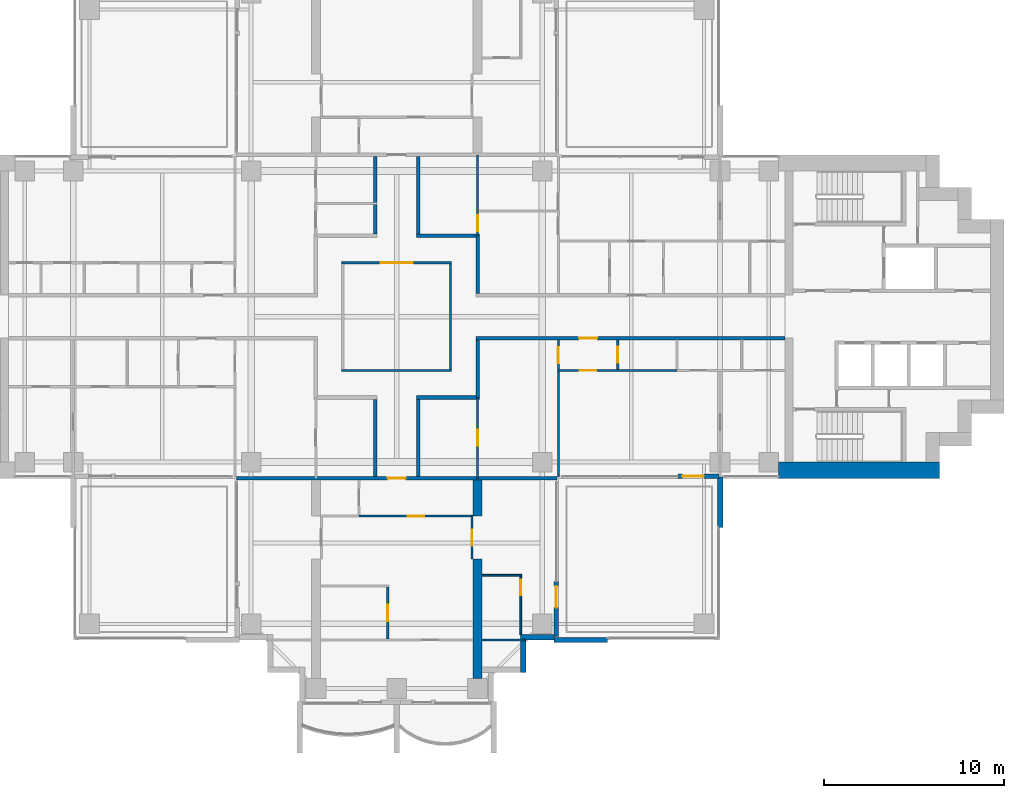
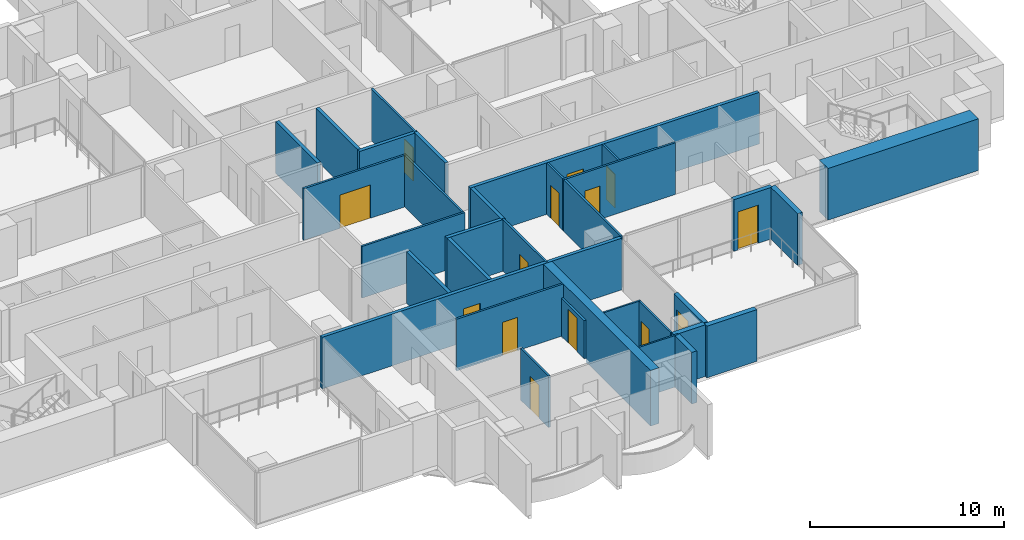
# One storey, part 11 of 18: 32 walls, 14 doors, 14 openings.
"""IFC4 building model written with IfcOpenShell, lengths in metres."""

from ifc_helpers import new_model, si_unit, direction, frame, frame_2d, origin, place, context, subcontext, project, spatial, polyline, rectangle, outline, extrude, material, layer, layer_set, material_profile, profile_set, type_object, element, fill, save


model = new_model("IFC4")

# Units and contexts
model_context = context("Model", 3, precision=1e-05, world=origin(), true_north=direction((0.0, 1.0)))
body_context = subcontext(model_context, "Body", "Model", "MODEL_VIEW")
ifc_project = project(units=[si_unit("LENGTHUNIT", "METRE"), si_unit("AREAUNIT", "SQUARE_METRE"), si_unit("VOLUMEUNIT", "CUBIC_METRE"), si_unit("PLANEANGLEUNIT", "RADIAN"), si_unit("MASSUNIT", "GRAM", prefix="KILO")], contexts=[model_context])

# Site, building, storey
site_placement = place(None, origin())
site = spatial("IfcSite", under=ifc_project, at=site_placement, CompositionType="ELEMENT")
building_placement = place(site_placement, origin())
building = spatial("IfcBuilding", under=site, at=building_placement, Name="Perihelion Cross Residences", CompositionType="ELEMENT")
storey_placement = place(building_placement, frame((0.0, 0.0, 123.39990234375)))
storey = spatial("IfcBuildingStorey", under=building, at=storey_placement, Name="L29", CompositionType="ELEMENT", Elevation=123.39990234375)

# Walls
ifc_material_1 = material(Name="Plasterboard partition")
ifc_layer_1 = layer(ifc_material_1, 0.199951171875)
ifc_layer_set_1 = layer_set([ifc_layer_1], Name="Apartment separation wall 200")
wall_type_1 = type_object("IfcWallType", Name="Apartment separation wall 200", PredefinedType="PARTITIONING", material=ifc_layer_set_1)
wall_1_placement = place(storey_placement, frame((4.5, 4.5, 0.0), z_axis=(0.0, 0.0, 1.0), x_axis=(0.0, -1.0, 0.0)))
element("IfcWall", 1, at=wall_1_placement, inside=storey, type_object=wall_type_1, Name="Partition L29 W006", PredefinedType="PARTITIONING", context=body_context, shape_type="SweptSolid", body=[
    extrude(rectangle(XDim=3.199951171875, YDim=0.199951171875, at=frame_2d((1.60009765625, 0.0))), origin(), (0.0, 0.0, 1.0), 3.25),
])
wall_2_placement = place(storey_placement, frame((1.199951171875, 8.89990234375, 0.0), z_axis=(0.0, 0.0, 1.0), x_axis=(0.0, -1.0, 0.0)))
element("IfcWall", 2, at=wall_2_placement, inside=storey, type_object=wall_type_1, Name="Partition L29 W007", PredefinedType="PARTITIONING", context=body_context, shape_type="SweptSolid", body=[
    extrude(rectangle(XDim=4.2998046875, YDim=0.199951171875, at=frame_2d((2.14990234375, 0.0))), origin(), (0.0, 0.0, 1.0), 3.25),
])
wall_3_placement = place(storey_placement, frame((1.10009765625, 4.5, 0.0), z_axis=(0.0, 0.0, 1.0), x_axis=(1.0, 0.0, 0.0)))
element("IfcWall", 3, at=wall_3_placement, inside=storey, type_object=wall_type_1, Name="Partition L29 W008", PredefinedType="PARTITIONING", context=body_context, shape_type="SweptSolid", body=[
    extrude(rectangle(XDim=3.5, YDim=0.199951171875, at=frame_2d((1.75, 0.0))), origin(), (0.0, 0.0, 1.0), 3.25),
])

# Wall, opening, door
wall_4_placement = place(storey_placement, frame((21.60009765625, -1.199951171875, 0.0), z_axis=(0.0, 0.0, 1.0), x_axis=(-1.0, 0.0, 0.0)))
wall_4 = element("IfcWall", 4, at=wall_4_placement, inside=storey, type_object=wall_type_1, Name="Partition L29 W009", PredefinedType="PARTITIONING", context=body_context, shape_type="SweptSolid", body=[
    extrude(rectangle(XDim=17.2001953125, YDim=0.199951171875, at=frame_2d((8.60009765625, 0.0))), origin(), (0.0, 0.0, 1.0), 3.25),
])
opening_1_placement = place(wall_4_placement, frame((10.449951171875, 0.0, 0.0)))
opening_1 = element("IfcOpeningElement", 5, at=opening_1_placement, cuts=wall_4, Name="Opening L29.A46", PredefinedType="OPENING", context=body_context, shape_type="SweptSolid", body=[
    extrude(rectangle(XDim=1.0, YDim=2.10009765625, at=frame_2d((0.5, 1.050048828125))), frame((0.0, 0.10986328125, 0.0), z_axis=(0.0, -1.0, 0.0), x_axis=(1.0, 0.0, 0.0)), (0.0, 0.0, 1.0), 0.219970703125),
])
ifc_material_2 = material(Name="Timber door leaf", Category="wood")
door_type_1 = type_object("IfcDoorType", Name="Flat entrance door 1000 x 2100", OperationType="SINGLE_SWING_LEFT", PredefinedType="DOOR", material=ifc_material_2)
door_1_placement = place(opening_1_placement, origin())
door_1 = element("IfcDoor", 6, at=door_1_placement, inside=storey, type_object=door_type_1, Name="Door L29.A46", OperationType="SINGLE_SWING_RIGHT", OverallHeight=2.10009765625, OverallWidth=1.0, PredefinedType="DOOR", context=body_context, shape_type="SweptSolid", body=[
    extrude(rectangle(XDim=1.0, YDim=2.10009765625, at=frame_2d((0.5, 1.050048828125))), frame((0.0, 0.02490234375, 0.0), z_axis=(0.0, -1.0, 0.0), x_axis=(1.0, 0.0, 0.0)), (0.0, 0.0, 1.0), 0.050048828125),
])
fill(opening_1, door_1)

# Walls
wall_5_placement = place(storey_placement, frame((4.5, -1.300048828125, 0.0), z_axis=(0.0, 0.0, 1.0), x_axis=(0.0, -1.0, 0.0)))
element("IfcWall", 7, at=wall_5_placement, inside=storey, type_object=wall_type_1, Name="Partition L29 W010", PredefinedType="PARTITIONING", context=body_context, shape_type="SweptSolid", body=[
    extrude(rectangle(XDim=3.199951171875, YDim=0.199951171875, at=frame_2d((1.60009765625, 0.0))), origin(), (0.0, 0.0, 1.0), 3.25),
])
wall_6_placement = place(storey_placement, frame((4.60009765625, -4.5, 0.0), z_axis=(0.0, 0.0, 1.0), x_axis=(-1.0, 0.0, 0.0)))
element("IfcWall", 8, at=wall_6_placement, inside=storey, type_object=wall_type_1, Name="Partition L29 W011", PredefinedType="PARTITIONING", context=body_context, shape_type="SweptSolid", body=[
    extrude(rectangle(XDim=3.5, YDim=0.199951171875, at=frame_2d((1.75, 0.0))), origin(), (0.0, 0.0, 1.0), 3.25),
])
for number, where, z_axis, x_axis, name in (
    (9, (1.199951171875, -4.60009765625, 0.0), (0.0, 0.0, 1.0), (0.0, -1.0, 0.0), "Partition L29 W012"),
    (10, (-1.199951171875, 4.60009765625, 0.0), (0.0, 0.0, 1.0), (0.0, 1.0, 0.0), "Partition L29 W016"),
    (11, (-1.199951171875, -8.89990234375, 0.0), (0.0, 0.0, 1.0), (0.0, 1.0, 0.0), "Partition L29 W019"),
):
    element("IfcWall", number, at=place(storey_placement, frame(where, z_axis=z_axis, x_axis=x_axis)), inside=storey, type_object=wall_type_1, Name=name, PredefinedType="PARTITIONING", context=body_context, shape_type="SweptSolid", body=[
        extrude(rectangle(XDim=4.2998046875, YDim=0.199951171875, at=frame_2d((2.14990234375, 0.0))), origin(), (0.0, 0.0, 1.0), 3.25),
    ])

# Wall, opening, door
wall_7_placement = place(storey_placement, frame((8.919921875, -9.0, 0.0), z_axis=(0.0, 0.0, 1.0), x_axis=(-1.0, 0.0, 0.0)))
wall_7 = element("IfcWall", 12, at=wall_7_placement, inside=storey, type_object=wall_type_1, Name="Partition L29 W022", PredefinedType="PARTITIONING", context=body_context, shape_type="SweptSolid", body=[
    extrude(rectangle(XDim=17.83984375, YDim=0.199951171875, at=frame_2d((8.919921875, 0.0))), origin(), (0.0, 0.0, 1.0), 3.25),
])
opening_2_placement = place(wall_7_placement, frame((8.419921875, 0.0, 0.0)))
opening_2 = element("IfcOpeningElement", 13, at=opening_2_placement, cuts=wall_7, Name="Opening L29.A39", PredefinedType="OPENING", context=body_context, shape_type="SweptSolid", body=[
    extrude(rectangle(XDim=1.0, YDim=2.10009765625, at=frame_2d((0.5, 1.050048828125))), frame((0.0, 0.10986328125, 0.0), z_axis=(0.0, -1.0, 0.0), x_axis=(1.0, 0.0, 0.0)), (0.0, 0.0, 1.0), 0.219970703125),
])
door_2_placement = place(opening_2_placement, origin())
door_2 = element("IfcDoor", 14, at=door_2_placement, inside=storey, type_object=door_type_1, Name="Door L29.A39", OperationType="SINGLE_SWING_LEFT", OverallHeight=2.10009765625, OverallWidth=1.0, PredefinedType="DOOR", context=body_context, shape_type="SweptSolid", body=[
    extrude(rectangle(XDim=1.0, YDim=2.10009765625, at=frame_2d((0.5, 1.050048828125))), frame((0.0, 0.02490234375, 0.0), z_axis=(0.0, -1.0, 0.0), x_axis=(1.0, 0.0, 0.0)), (0.0, 0.0, 1.0), 0.050048828125),
])
fill(opening_2, door_2)

ifc_material_3 = material(Name="Concrete C30/37, bronze-clad", Category="concrete")
ifc_layer_2 = layer(ifc_material_3, 0.25)
ifc_layer_set_2 = layer_set([ifc_layer_2], Name="Bronze-clad pier wall 250")
wall_type_2 = type_object("IfcWallType", Name="Bronze-clad pier wall 250", PredefinedType="SOLIDWALL", material=ifc_layer_set_2)
wall_8_placement = place(storey_placement, frame((8.875, -17.800048828125, 0.0), z_axis=(0.0, 0.0, 1.0), x_axis=(0.0, 1.0, 0.0)))
wall_8 = element("IfcWall", 15, at=wall_8_placement, inside=storey, type_object=wall_type_2, Name="Wall FW1 L29 south side east bay 1 pier", PredefinedType="SOLIDWALL", context=body_context, shape_type="SweptSolid", body=[
    extrude(rectangle(XDim=3.050048828125, YDim=0.25, at=frame_2d((1.52490234375, 0.0))), origin(), (0.0, 0.0, 1.0), 3.25),
])
opening_3_placement = place(wall_8_placement, frame((1.60009765625, 0.0, 0.0)))
opening_3 = element("IfcOpeningElement", 16, at=opening_3_placement, cuts=wall_8, Name="Opening L29.E13", PredefinedType="OPENING", context=body_context, shape_type="SweptSolid", body=[
    extrude(rectangle(XDim=1.199951171875, YDim=2.39990234375, at=frame_2d((0.60009765625, 1.199951171875))), frame((0.0, 0.135009765625, 0.0), z_axis=(0.0, -1.0, 0.0), x_axis=(1.0, 0.0, 0.0)), (0.0, 0.0, 1.0), 0.27001953125),
])
ifc_material_4 = material(Name="Bronze anodised aluminium, glazed", Category="aluminium")
door_type_2 = type_object("IfcDoorType", Name="Balcony door 1200 x 2400", OperationType="NOTDEFINED", PredefinedType="DOOR", material=ifc_material_4)
door_3_placement = place(opening_3_placement, origin())
door_3 = element("IfcDoor", 17, at=door_3_placement, inside=storey, type_object=door_type_2, Name="Door L29.E13 south side east bay 1", OperationType="SINGLE_SWING_RIGHT", OverallHeight=2.39990234375, OverallWidth=1.199951171875, PredefinedType="DOOR", context=body_context, shape_type="SweptSolid", body=[
    extrude(rectangle(XDim=1.199951171875, YDim=2.39990234375, at=frame_2d((0.60009765625, 1.199951171875))), frame((0.0, 0.02490234375, 0.0), z_axis=(0.0, -1.0, 0.0), x_axis=(1.0, 0.0, 0.0)), (0.0, 0.0, 1.0), 0.050048828125),
])
fill(opening_3, door_3)

wall_9_placement = place(storey_placement, frame((15.64990234375, -8.875, 0.0), z_axis=(0.0, 0.0, 1.0), x_axis=(1.0, 0.0, 0.0)))
wall_9 = element("IfcWall", 18, at=wall_9_placement, inside=storey, type_object=wall_type_2, Name="Wall FW1 L29 east side south bay 1 pier", PredefinedType="SOLIDWALL", context=body_context, shape_type="SweptSolid", body=[
    extrude(rectangle(XDim=2.2900390625, YDim=0.25, at=frame_2d((1.14501953125, 0.0))), origin(), (0.0, 0.0, 1.0), 3.25),
])
opening_4_placement = place(wall_9_placement, frame((0.25, 0.0, 0.0)))
opening_4 = element("IfcOpeningElement", 19, at=opening_4_placement, cuts=wall_9, Name="Opening L29.E14", PredefinedType="OPENING", context=body_context, shape_type="SweptSolid", body=[
    extrude(rectangle(XDim=1.199951171875, YDim=2.39990234375, at=frame_2d((0.60009765625, 1.199951171875))), frame((0.0, 0.135009765625, 0.0), z_axis=(0.0, -1.0, 0.0), x_axis=(1.0, 0.0, 0.0)), (0.0, 0.0, 1.0), 0.27001953125),
])
door_4_placement = place(opening_4_placement, origin())
door_4 = element("IfcDoor", 20, at=door_4_placement, inside=storey, type_object=door_type_2, Name="Door L29.E14 east side south bay 1", OperationType="SINGLE_SWING_LEFT", OverallHeight=2.39990234375, OverallWidth=1.199951171875, PredefinedType="DOOR", context=body_context, shape_type="SweptSolid", body=[
    extrude(rectangle(XDim=1.199951171875, YDim=2.39990234375, at=frame_2d((0.60009765625, 1.199951171875))), frame((0.0, 0.02490234375, 0.0), z_axis=(0.0, -1.0, 0.0), x_axis=(1.0, 0.0, 0.0)), (0.0, 0.0, 1.0), 0.050048828125),
])
fill(opening_4, door_4)

# Walls
ifc_material_5 = material(Name="Concrete C30/37, bronze-clad", Category="concrete")
ifc_layer_3 = layer(ifc_material_5, 0.300048828125)
ifc_layer_set_3 = layer_set([ifc_layer_3], Name="Bronze-clad serration wall 300")
wall_type_3 = type_object("IfcWallType", Name="Bronze-clad serration wall 300", PredefinedType="SOLIDWALL", material=ifc_layer_set_3)
wall_10_placement = place(storey_placement, frame((7.050048828125, -19.800048828125, 0.0), z_axis=(0.0, 0.0, 1.0), x_axis=(0.0, 1.0, 0.0)))
element("IfcWall", 21, at=wall_10_placement, inside=storey, type_object=wall_type_3, Name="Wall SR1 L29 south corner south-east 3", PredefinedType="SOLIDWALL", context=body_context, shape_type="SweptSolid", body=[
    extrude(rectangle(XDim=1.800048828125, YDim=0.300048828125, at=frame_2d((0.89990234375, 0.0))), origin(), (0.0, 0.0, 1.0), 3.25),
])
wall_11_placement = place(storey_placement, frame((6.89990234375, -17.85009765625, 0.0), z_axis=(0.0, 0.0, 1.0), x_axis=(1.0, 0.0, 0.0)))
element("IfcWall", 22, at=wall_11_placement, inside=storey, type_object=wall_type_3, Name="Wall SR1 L29 south corner south-east 4", PredefinedType="SOLIDWALL", context=body_context, shape_type="SweptSolid", body=[
    extrude(rectangle(XDim=1.85009765625, YDim=0.300048828125, at=frame_2d((0.925048828125, 0.0))), origin(), (0.0, 0.0, 1.0), 3.25),
])
ifc_material_6 = material(Name="Concrete C60/75", Category="concrete")
ifc_layer_4 = layer(ifc_material_6, 0.89990234375)
ifc_layer_set_4 = layer_set([ifc_layer_4], Name="Core wall, outer 900")
wall_type_4 = type_object("IfcWallType", Name="Core wall, outer 900", PredefinedType="SHEAR", material=ifc_layer_set_4)
wall_12_placement = place(storey_placement, frame((21.25, -8.550048828125, 0.0), z_axis=(0.0, 0.0, 1.0), x_axis=(1.0, 0.0, 0.0)))
element("IfcWall", 23, at=wall_12_placement, inside=storey, type_object=wall_type_4, Name="East core core wall, outer", PredefinedType="SHEAR", context=body_context, shape_type="SweptSolid", body=[
    extrude(rectangle(XDim=8.949951171875, YDim=0.89990234375, at=frame_2d((4.47509765625, 0.0))), origin(), (0.0, 0.0, 1.0), 3.25),
])

# Wall, opening, door
ifc_material_7 = material(Name="Plasterboard partition")
ifc_layer_5 = layer(ifc_material_7, 0.1201171875)
ifc_layer_set_5 = layer_set([ifc_layer_5], Name="Infill panel 120")
wall_type_5 = type_object("IfcWallType", Name="Infill panel 120", PredefinedType="PARTITIONING", material=ifc_layer_set_5)
wall_13_placement = place(storey_placement, frame((4.18994140625, -11.10009765625, 0.0), z_axis=(0.0, 0.0, 1.0), x_axis=(0.0, -1.0, 0.0)))
wall_13 = element("IfcWall", 24, at=wall_13_placement, inside=storey, type_object=wall_type_5, Name="Partition L29 WI05", PredefinedType="PARTITIONING", context=body_context, shape_type="SweptSolid", body=[
    extrude(rectangle(XDim=2.39990234375, YDim=0.1201171875, at=frame_2d((1.199951171875, 0.0))), origin(), (0.0, 0.0, 1.0), 2.400146484375),
])
opening_5_placement = place(wall_13_placement, frame((0.75, 0.0, 0.0)))
opening_5 = element("IfcOpeningElement", 25, at=opening_5_placement, cuts=wall_13, Name="Opening L29.A53", PredefinedType="OPENING", context=body_context, shape_type="SweptSolid", body=[
    extrude(rectangle(XDim=0.89990234375, YDim=2.10009765625, at=frame_2d((0.449951171875, 1.050048828125))), frame((0.0, 0.070068359375, 0.0), z_axis=(0.0, -1.0, 0.0), x_axis=(1.0, 0.0, 0.0)), (0.0, 0.0, 1.0), 0.14013671875),
])
ifc_material_8 = material(Name="Timber door leaf", Category="wood")
door_type_3 = type_object("IfcDoorType", Name="Interior room door 900 x 2100", OperationType="SINGLE_SWING_LEFT", PredefinedType="DOOR", material=ifc_material_8)
door_5_placement = place(opening_5_placement, origin())
door_5 = element("IfcDoor", 26, at=door_5_placement, inside=storey, type_object=door_type_3, Name="Door L29.A53", OperationType="SINGLE_SWING_RIGHT", OverallHeight=2.10009765625, OverallWidth=0.89990234375, PredefinedType="DOOR", context=body_context, shape_type="SweptSolid", body=[
    extrude(rectangle(XDim=0.89990234375, YDim=2.10009765625, at=frame_2d((0.449951171875, 1.050048828125))), frame((0.0, 0.02490234375, 0.0), z_axis=(0.0, -1.0, 0.0), x_axis=(1.0, 0.0, 0.0)), (0.0, 0.0, 1.0), 0.050048828125),
])
fill(opening_5, door_5)

# Walls
ifc_material_9 = material(Name="Plasterboard partition")
ifc_layer_6 = layer(ifc_material_9, 0.1201171875)
ifc_layer_set_6 = layer_set([ifc_layer_6], Name="Partition wall 120")
wall_type_6 = type_object("IfcWallType", Name="Partition wall 120", PredefinedType="PARTITIONING", material=ifc_layer_set_6)
wall_14_placement = place(storey_placement, frame((-3.06005859375, -3.0, 0.0), z_axis=(0.0, 0.0, 1.0), x_axis=(1.0, 0.0, 0.0)))
element("IfcWall", 27, at=wall_14_placement, inside=storey, type_object=wall_type_6, Name="Partition L29 W001", PredefinedType="PARTITIONING", context=body_context, shape_type="SweptSolid", body=[
    extrude(rectangle(XDim=6.1201171875, YDim=0.1201171875, at=frame_2d((3.06005859375, 0.0))), origin(), (0.0, 0.0, 1.0), 3.25),
])
wall_15_placement = place(storey_placement, frame((3.0, -2.93994140625, 0.0), z_axis=(0.0, 0.0, 1.0), x_axis=(0.0, 1.0, 0.0)))
element("IfcWall", 28, at=wall_15_placement, inside=storey, type_object=wall_type_6, Name="Partition L29 W002", PredefinedType="PARTITIONING", context=body_context, shape_type="SweptSolid", body=[
    extrude(rectangle(XDim=5.8798828125, YDim=0.1201171875, at=frame_2d((2.93994140625, 0.0))), origin(), (0.0, 0.0, 1.0), 3.25),
])

# Wall, opening, door
wall_16_placement = place(storey_placement, frame((3.06005859375, 3.0, 0.0), z_axis=(0.0, 0.0, 1.0), x_axis=(-1.0, 0.0, 0.0)))
wall_16 = element("IfcWall", 29, at=wall_16_placement, inside=storey, type_object=wall_type_6, Name="Partition L29 W003", PredefinedType="PARTITIONING", context=body_context, shape_type="SweptSolid", body=[
    extrude(rectangle(XDim=6.1201171875, YDim=0.1201171875, at=frame_2d((3.06005859375, 0.0))), origin(), (0.0, 0.0, 1.0), 3.25),
])
opening_6_placement = place(wall_16_placement, frame((2.159912109375, 0.0, 0.0)))
opening_6 = element("IfcOpeningElement", 30, at=opening_6_placement, cuts=wall_16, Name="Opening L29.A01", PredefinedType="OPENING", context=body_context, shape_type="SweptSolid", body=[
    extrude(rectangle(XDim=1.800048828125, YDim=2.10009765625, at=frame_2d((0.89990234375, 1.050048828125))), frame((0.0, 0.070068359375, 0.0), z_axis=(0.0, -1.0, 0.0), x_axis=(1.0, 0.0, 0.0)), (0.0, 0.0, 1.0), 0.14013671875),
])
ifc_material_10 = material(Name="Glazed timber door leaf", Category="wood")
door_type_4 = type_object("IfcDoorType", Name="Interior double leaf door 1800 x 2100", OperationType="DOUBLE_DOOR_SINGLE_SWING", PredefinedType="DOOR", material=ifc_material_10)
door_6_placement = place(opening_6_placement, origin())
door_6 = element("IfcDoor", 31, at=door_6_placement, inside=storey, type_object=door_type_4, Name="Door L29.A01", OperationType="SINGLE_SWING_LEFT", OverallHeight=2.10009765625, OverallWidth=1.800048828125, PredefinedType="DOOR", context=body_context, shape_type="SweptSolid", body=[
    extrude(rectangle(XDim=1.800048828125, YDim=2.10009765625, at=frame_2d((0.89990234375, 1.050048828125))), frame((0.0, 0.02490234375, 0.0), z_axis=(0.0, -1.0, 0.0), x_axis=(1.0, 0.0, 0.0)), (0.0, 0.0, 1.0), 0.050048828125),
])
fill(opening_6, door_6)

wall_17_placement = place(storey_placement, frame((4.5, 4.5, 0.0), z_axis=(0.0, 0.0, 1.0), x_axis=(0.0, 1.0, 0.0)))
wall_17 = element("IfcWall", 32, at=wall_17_placement, inside=storey, type_object=wall_type_6, Name="Partition L29 W031", PredefinedType="PARTITIONING", context=body_context, shape_type="SweptSolid", body=[
    extrude(rectangle(XDim=4.5, YDim=0.1201171875, at=frame_2d((2.25, 0.0))), origin(), (0.0, 0.0, 1.0), 3.25),
])
opening_7_placement = place(wall_17_placement, frame((0.239990234375, 0.0, 0.0)))
opening_7 = element("IfcOpeningElement", 33, at=opening_7_placement, cuts=wall_17, Name="Opening L29.A03", PredefinedType="OPENING", context=body_context, shape_type="SweptSolid", body=[
    extrude(rectangle(XDim=0.89990234375, YDim=2.10009765625, at=frame_2d((0.449951171875, 1.050048828125))), frame((0.0, 0.070068359375, 0.0), z_axis=(0.0, -1.0, 0.0), x_axis=(1.0, 0.0, 0.0)), (0.0, 0.0, 1.0), 0.14013671875),
])
door_7_placement = place(opening_7_placement, origin())
door_7 = element("IfcDoor", 34, at=door_7_placement, inside=storey, type_object=door_type_3, Name="Door L29.A03", OperationType="SINGLE_SWING_LEFT", OverallHeight=2.10009765625, OverallWidth=0.89990234375, PredefinedType="DOOR", context=body_context, shape_type="SweptSolid", body=[
    extrude(rectangle(XDim=0.89990234375, YDim=2.10009765625, at=frame_2d((0.449951171875, 1.050048828125))), frame((0.0, 0.02490234375, 0.0), z_axis=(0.0, -1.0, 0.0), x_axis=(1.0, 0.0, 0.0)), (0.0, 0.0, 1.0), 0.050048828125),
])
fill(opening_7, door_7)

wall_18_placement = place(storey_placement, frame((12.300048828125, -1.300048828125, 0.0), z_axis=(0.0, 0.0, 1.0), x_axis=(0.0, -1.0, 0.0)))
wall_18 = element("IfcWall", 35, at=wall_18_placement, inside=storey, type_object=wall_type_6, Name="Partition L29 W032", PredefinedType="PARTITIONING", context=body_context, shape_type="SweptSolid", body=[
    extrude(rectangle(XDim=1.639892578125, YDim=0.1201171875, at=frame_2d((0.81982421875, 0.0))), origin(), (0.0, 0.0, 1.0), 3.25),
])
opening_8_placement = place(wall_18_placement, frame((0.3701171875, 0.0, 0.0)))
opening_8 = element("IfcOpeningElement", 36, at=opening_8_placement, cuts=wall_18, Name="Opening L29.A12", PredefinedType="OPENING", context=body_context, shape_type="SweptSolid", body=[
    extrude(rectangle(XDim=0.89990234375, YDim=2.10009765625, at=frame_2d((0.449951171875, 1.050048828125))), frame((0.0, 0.070068359375, 0.0), z_axis=(0.0, -1.0, 0.0), x_axis=(1.0, 0.0, 0.0)), (0.0, 0.0, 1.0), 0.14013671875),
])
door_8_placement = place(opening_8_placement, origin())
door_8 = element("IfcDoor", 37, at=door_8_placement, inside=storey, type_object=door_type_3, Name="Door L29.A12", OperationType="SINGLE_SWING_RIGHT", OverallHeight=2.10009765625, OverallWidth=0.89990234375, PredefinedType="DOOR", context=body_context, shape_type="SweptSolid", body=[
    extrude(rectangle(XDim=0.89990234375, YDim=2.10009765625, at=frame_2d((0.449951171875, 1.050048828125))), frame((0.0, 0.02490234375, 0.0), z_axis=(0.0, -1.0, 0.0), x_axis=(1.0, 0.0, 0.0)), (0.0, 0.0, 1.0), 0.050048828125),
])
fill(opening_8, door_8)

wall_19_placement = place(storey_placement, frame((15.60009765625, -3.0, 0.0), z_axis=(0.0, 0.0, 1.0), x_axis=(-1.0, 0.0, 0.0)))
wall_19 = element("IfcWall", 38, at=wall_19_placement, inside=storey, type_object=wall_type_6, Name="Partition L29 W033", PredefinedType="PARTITIONING", context=body_context, shape_type="SweptSolid", body=[
    extrude(rectangle(XDim=6.66015625, YDim=0.1201171875, at=frame_2d((3.330078125, 0.0))), origin(), (0.0, 0.0, 1.0), 3.25),
])
opening_9_placement = place(wall_19_placement, frame((4.5, 0.0, 0.0)))
opening_9 = element("IfcOpeningElement", 39, at=opening_9_placement, cuts=wall_19, Name="Opening L29.A13", PredefinedType="OPENING", context=body_context, shape_type="SweptSolid", body=[
    extrude(rectangle(XDim=0.89990234375, YDim=2.10009765625, at=frame_2d((0.449951171875, 1.050048828125))), frame((0.0, 0.070068359375, 0.0), z_axis=(0.0, -1.0, 0.0), x_axis=(1.0, 0.0, 0.0)), (0.0, 0.0, 1.0), 0.14013671875),
])
door_9_placement = place(opening_9_placement, origin())
door_9 = element("IfcDoor", 40, at=door_9_placement, inside=storey, type_object=door_type_3, Name="Door L29.A13", OperationType="SINGLE_SWING_RIGHT", OverallHeight=2.10009765625, OverallWidth=0.89990234375, PredefinedType="DOOR", context=body_context, shape_type="SweptSolid", body=[
    extrude(rectangle(XDim=0.89990234375, YDim=2.10009765625, at=frame_2d((0.449951171875, 1.050048828125))), frame((0.0, 0.02490234375, 0.0), z_axis=(0.0, -1.0, 0.0), x_axis=(1.0, 0.0, 0.0)), (0.0, 0.0, 1.0), 0.050048828125),
])
fill(opening_9, door_9)

wall_20_placement = place(storey_placement, frame((9.0, -8.919921875, 0.0), z_axis=(0.0, 0.0, 1.0), x_axis=(0.0, 1.0, 0.0)))
wall_20 = element("IfcWall", 41, at=wall_20_placement, inside=storey, type_object=wall_type_6, Name="Partition L29 W034", PredefinedType="PARTITIONING", context=body_context, shape_type="SweptSolid", body=[
    extrude(rectangle(XDim=7.619873046875, YDim=0.1201171875, at=frame_2d((3.81005859375, 0.0))), origin(), (0.0, 0.0, 1.0), 3.25),
])
opening_10_placement = place(wall_20_placement, frame((6.320068359375, 0.0, 0.0)))
opening_10 = element("IfcOpeningElement", 42, at=opening_10_placement, cuts=wall_20, Name="Opening L29.A16", PredefinedType="OPENING", context=body_context, shape_type="SweptSolid", body=[
    extrude(rectangle(XDim=0.89990234375, YDim=2.10009765625, at=frame_2d((0.449951171875, 1.050048828125))), frame((0.0, 0.070068359375, 0.0), z_axis=(0.0, -1.0, 0.0), x_axis=(1.0, 0.0, 0.0)), (0.0, 0.0, 1.0), 0.14013671875),
])
door_10_placement = place(opening_10_placement, origin())
door_10 = element("IfcDoor", 43, at=door_10_placement, inside=storey, type_object=door_type_3, Name="Door L29.A16", OperationType="SINGLE_SWING_RIGHT", OverallHeight=2.10009765625, OverallWidth=0.89990234375, PredefinedType="DOOR", context=body_context, shape_type="SweptSolid", body=[
    extrude(rectangle(XDim=0.89990234375, YDim=2.10009765625, at=frame_2d((0.449951171875, 1.050048828125))), frame((0.0, 0.02490234375, 0.0), z_axis=(0.0, -1.0, 0.0), x_axis=(1.0, 0.0, 0.0)), (0.0, 0.0, 1.0), 0.050048828125),
])
fill(opening_10, door_10)

wall_21_placement = place(storey_placement, frame((4.5, -9.0, 0.0), z_axis=(0.0, 0.0, 1.0), x_axis=(0.0, 1.0, 0.0)))
wall_21 = element("IfcWall", 44, at=wall_21_placement, inside=storey, type_object=wall_type_6, Name="Partition L29 W040", PredefinedType="PARTITIONING", context=body_context, shape_type="SweptSolid", body=[
    extrude(rectangle(XDim=4.5, YDim=0.1201171875, at=frame_2d((2.25, 0.0))), origin(), (0.0, 0.0, 1.0), 3.25),
])
opening_11_placement = place(wall_21_placement, frame((1.800048828125, 0.0, 0.0)))
opening_11 = element("IfcOpeningElement", 45, at=opening_11_placement, cuts=wall_21, Name="Opening L29.A11", PredefinedType="OPENING", context=body_context, shape_type="SweptSolid", body=[
    extrude(rectangle(XDim=0.89990234375, YDim=2.10009765625, at=frame_2d((0.449951171875, 1.050048828125))), frame((0.0, 0.070068359375, 0.0), z_axis=(0.0, -1.0, 0.0), x_axis=(1.0, 0.0, 0.0)), (0.0, 0.0, 1.0), 0.14013671875),
])
door_11_placement = place(opening_11_placement, origin())
door_11 = element("IfcDoor", 46, at=door_11_placement, inside=storey, type_object=door_type_3, Name="Door L29.A11", OperationType="SINGLE_SWING_RIGHT", OverallHeight=2.10009765625, OverallWidth=0.89990234375, PredefinedType="DOOR", context=body_context, shape_type="SweptSolid", body=[
    extrude(rectangle(XDim=0.89990234375, YDim=2.10009765625, at=frame_2d((0.449951171875, 1.050048828125))), frame((0.0, 0.02490234375, 0.0), z_axis=(0.0, -1.0, 0.0), x_axis=(1.0, 0.0, 0.0)), (0.0, 0.0, 1.0), 0.050048828125),
])
fill(opening_11, door_11)

wall_22_placement = place(storey_placement, frame((4.25, -11.10009765625, 0.0), z_axis=(0.0, 0.0, 1.0), x_axis=(-1.0, 0.0, 0.0)))
wall_22 = element("IfcWall", 47, at=wall_22_placement, inside=storey, type_object=wall_type_6, Name="Partition L29 W075", PredefinedType="PARTITIONING", context=body_context, shape_type="SweptSolid", body=[
    extrude(rectangle(XDim=6.35009765625, YDim=0.1201171875, at=frame_2d((3.175048828125, 0.0))), origin(), (0.0, 0.0, 1.0), 3.25),
])
opening_12_placement = place(wall_22_placement, frame((2.72509765625, 0.0, 0.0)))
opening_12 = element("IfcOpeningElement", 48, at=opening_12_placement, cuts=wall_22, Name="Opening L29.A41", PredefinedType="OPENING", context=body_context, shape_type="SweptSolid", body=[
    extrude(rectangle(XDim=0.89990234375, YDim=2.10009765625, at=frame_2d((0.449951171875, 1.050048828125))), frame((0.0, 0.070068359375, 0.0), z_axis=(0.0, -1.0, 0.0), x_axis=(1.0, 0.0, 0.0)), (0.0, 0.0, 1.0), 0.14013671875),
])
door_12_placement = place(opening_12_placement, origin())
door_12 = element("IfcDoor", 49, at=door_12_placement, inside=storey, type_object=door_type_3, Name="Door L29.A41", OperationType="SINGLE_SWING_RIGHT", OverallHeight=2.10009765625, OverallWidth=0.89990234375, PredefinedType="DOOR", context=body_context, shape_type="SweptSolid", body=[
    extrude(rectangle(XDim=0.89990234375, YDim=2.10009765625, at=frame_2d((0.449951171875, 1.050048828125))), frame((0.0, 0.02490234375, 0.0), z_axis=(0.0, -1.0, 0.0), x_axis=(1.0, 0.0, 0.0)), (0.0, 0.0, 1.0), 0.050048828125),
])
fill(opening_12, door_12)

wall_23_placement = place(storey_placement, frame((-0.5, -17.93994140625, 0.0), z_axis=(0.0, 0.0, 1.0), x_axis=(0.0, 1.0, 0.0)))
wall_23 = element("IfcWall", 50, at=wall_23_placement, inside=storey, type_object=wall_type_6, Name="Partition L29 W077", PredefinedType="PARTITIONING", context=body_context, shape_type="SweptSolid", body=[
    extrude(rectangle(XDim=2.8798828125, YDim=0.1201171875, at=frame_2d((1.43994140625, 0.0))), origin(), (0.0, 0.0, 1.0), 3.25),
])
opening_13_placement = place(wall_23_placement, frame((0.989990234375, 0.0, 0.0)))
opening_13 = element("IfcOpeningElement", 51, at=opening_13_placement, cuts=wall_23, Name="Opening L29.A42", PredefinedType="OPENING", context=body_context, shape_type="SweptSolid", body=[
    extrude(rectangle(XDim=0.89990234375, YDim=2.10009765625, at=frame_2d((0.449951171875, 1.050048828125))), frame((0.0, 0.070068359375, 0.0), z_axis=(0.0, -1.0, 0.0), x_axis=(1.0, 0.0, 0.0)), (0.0, 0.0, 1.0), 0.14013671875),
])
door_13_placement = place(opening_13_placement, origin())
door_13 = element("IfcDoor", 52, at=door_13_placement, inside=storey, type_object=door_type_3, Name="Door L29.A42", OperationType="SINGLE_SWING_RIGHT", OverallHeight=2.10009765625, OverallWidth=0.89990234375, PredefinedType="DOOR", context=body_context, shape_type="SweptSolid", body=[
    extrude(rectangle(XDim=0.89990234375, YDim=2.10009765625, at=frame_2d((0.449951171875, 1.050048828125))), frame((0.0, 0.02490234375, 0.0), z_axis=(0.0, -1.0, 0.0), x_axis=(1.0, 0.0, 0.0)), (0.0, 0.0, 1.0), 0.050048828125),
])
fill(opening_13, door_13)

# Walls
ifc_material_11 = material(Name="Precast concrete C50/60", Category="concrete")
ifc_layer_7 = layer(ifc_material_11, 0.300048828125)
ifc_layer_set_7 = layer_set([ifc_layer_7], Name="Precast concrete C50/60 blade wall 300")
wall_type_7 = type_object("IfcWallType", Name="Precast concrete C50/60 blade wall 300", PredefinedType="SOLIDWALL", material=ifc_layer_set_7)
wall_24_placement = place(storey_placement, frame((8.75, -18.0, 0.0), z_axis=(0.0, 0.0, 1.0), x_axis=(1.0, 0.0, 0.0)))
element("IfcWall", 53, at=wall_24_placement, inside=storey, type_object=wall_type_7, Name="Wall BL1 L29 no. 14", PredefinedType="SOLIDWALL", context=body_context, shape_type="SweptSolid", body=[
    extrude(rectangle(XDim=2.989990234375, YDim=0.300048828125, at=frame_2d((1.4951171875, 0.0))), origin(), (0.0, 0.0, 1.0), 3.25),
])
wall_25_placement = place(storey_placement, frame((18.0, -8.919921875, 0.0), z_axis=(0.0, 0.0, 1.0), x_axis=(0.0, -1.0, 0.0)))
element("IfcWall", 54, at=wall_25_placement, inside=storey, type_object=wall_type_7, Name="Wall BL1 L29 no. 10", PredefinedType="SOLIDWALL", context=body_context, shape_type="SweptSolid", body=[
    extrude(rectangle(XDim=2.820068359375, YDim=0.300048828125, at=frame_2d((1.41015625, 0.0))), origin(), (0.0, 0.0, 1.0), 3.25),
])
ifc_material_12 = material(Name="Concrete C60/75", Category="concrete")
ifc_material_profile = material_profile(ifc_material_12, outline(polyline([(0.0, 0.0), (6.64990234375, 0.0), (6.64990234375, 2.64990234375), (9.050048828125, 2.64990234375), (9.050048828125, 0.0), (11.14990234375, 0.0), (11.14990234375, 3.5), (0.0, 3.5), (0.0, 0.0)])), Name="Tip spine wall")
ifc_profile_set = profile_set([ifc_material_profile], Name="Concrete C60/75")
wall_type_8 = type_object("IfcWallType", Name="Tip spine wall 500 with 1 door openings 11150 long 3500 high concrete C60/75", PredefinedType="SHEAR", material=ifc_profile_set)
wall_26_placement = place(storey_placement, frame((4.25, -20.14990234375, -0.25), z_axis=(1.0, 0.0, 0.0), x_axis=(0.0, 1.0, 0.0)))
element("IfcWall", 55, at=wall_26_placement, inside=storey, type_object=wall_type_8, Name="Shear wall SW33 L29 south east", PredefinedType="SHEAR", context=body_context, shape_type="SweptSolid", body=[
    extrude(outline(polyline([(0.0, 0.0), (6.64990234375, 0.0), (6.64990234375, 2.64990234375), (9.050048828125, 2.64990234375), (9.050048828125, 0.0), (11.14990234375, 0.0), (11.14990234375, 3.5), (0.0, 3.5), (0.0, 0.0)])), origin(), (0.0, 0.0, 1.0), 0.5),
])

# Wall, opening, door
ifc_material_13 = material(Name="Plasterboard partition")
ifc_layer_8 = layer(ifc_material_13, 0.10009765625)
ifc_layer_set_8 = layer_set([ifc_layer_8], Name="Wet room wall 100")
wall_type_9 = type_object("IfcWallType", Name="Wet room wall 100", PredefinedType="PARTITIONING", material=ifc_layer_set_8)
wall_27_placement = place(storey_placement, frame((6.89990234375, -17.699951171875, 0.0), z_axis=(0.0, 0.0, 1.0), x_axis=(0.0, 1.0, 0.0)))
wall_27 = element("IfcWall", 56, at=wall_27_placement, inside=storey, type_object=wall_type_9, Name="Partition L29 W080", PredefinedType="PARTITIONING", context=body_context, shape_type="SweptSolid", body=[
    extrude(rectangle(XDim=3.25, YDim=0.10009765625, at=frame_2d((1.625, 0.0))), origin(), (0.0, 0.0, 1.0), 3.25),
])
opening_14_placement = place(wall_27_placement, frame((2.199951171875, 0.0, 0.0)))
opening_14 = element("IfcOpeningElement", 57, at=opening_14_placement, cuts=wall_27, Name="Opening L29.A44", PredefinedType="OPENING", context=body_context, shape_type="SweptSolid", body=[
    extrude(rectangle(XDim=0.85009765625, YDim=2.10009765625, at=frame_2d((0.425048828125, 1.050048828125))), frame((0.0, 0.06005859375, 0.0), z_axis=(0.0, -1.0, 0.0), x_axis=(1.0, 0.0, 0.0)), (0.0, 0.0, 1.0), 0.1201171875),
])
ifc_material_14 = material(Name="Timber door leaf", Category="wood")
door_type_5 = type_object("IfcDoorType", Name="Interior bathroom door 850 x 2100", OperationType="SINGLE_SWING_LEFT", PredefinedType="DOOR", material=ifc_material_14)
door_14_placement = place(opening_14_placement, origin())
door_14 = element("IfcDoor", 58, at=door_14_placement, inside=storey, type_object=door_type_5, Name="Door L29.A44", OperationType="SINGLE_SWING_LEFT", OverallHeight=2.10009765625, OverallWidth=0.85009765625, PredefinedType="DOOR", context=body_context, shape_type="SweptSolid", body=[
    extrude(rectangle(XDim=0.85009765625, YDim=2.10009765625, at=frame_2d((0.425048828125, 1.050048828125))), frame((0.0, 0.02490234375, 0.0), z_axis=(0.0, -1.0, 0.0), x_axis=(1.0, 0.0, 0.0)), (0.0, 0.0, 1.0), 0.050048828125),
])
fill(opening_14, door_14)

# Walls
wall_28_placement = place(storey_placement, frame((6.949951171875, -14.39990234375, 0.0), z_axis=(0.0, 0.0, 1.0), x_axis=(-1.0, 0.0, 0.0)))
element("IfcWall", 59, at=wall_28_placement, inside=storey, type_object=wall_type_9, Name="Partition L29 W081", PredefinedType="PARTITIONING", context=body_context, shape_type="SweptSolid", body=[
    extrude(rectangle(XDim=2.199951171875, YDim=0.10009765625, at=frame_2d((1.10009765625, 0.0))), origin(), (0.0, 0.0, 1.0), 3.25),
])
wall_29_placement = place(storey_placement, frame((7.1201171875, -18.0, 0.0), z_axis=(0.0, 0.0, 1.0), x_axis=(-1.0, 0.0, 0.0)))
element("IfcWall", 60, at=wall_29_placement, inside=storey, type_object=wall_type_9, Name="Partition L29 W082", PredefinedType="PARTITIONING", context=body_context, shape_type="SweptSolid", body=[
    extrude(rectangle(XDim=2.3701171875, YDim=0.10009765625, at=frame_2d((1.18505859375, 0.0))), origin(), (0.0, 0.0, 1.0), 3.25),
])

save(model, "model.ifc")
